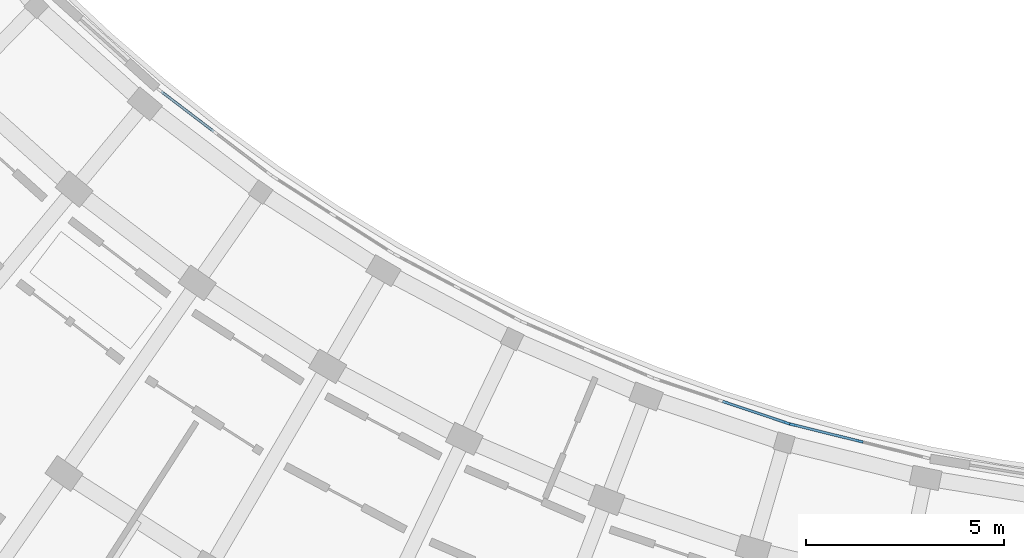
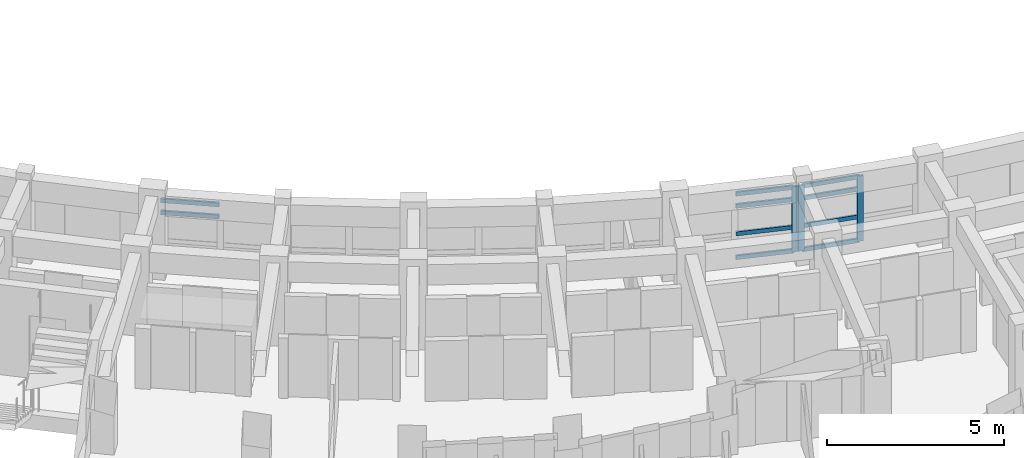
# One storey, part 14 of 54: 13 members, 3 elements without a shape of their own.
"""IFC4 building model written with IfcOpenShell, lengths in metres."""

from ifc_helpers import new_model, si_unit, direction, frame, origin, origin_2d, place, context, subcontext, project, spatial, rectangle, extrude, material, material_profile, profile_set, type_object, element, aggregate, save


model = new_model("IFC4")

# Units and contexts
model_context = context("Model", 3, precision=1e-05, world=origin(), true_north=direction((0.0, 1.0)))
body_context = subcontext(model_context, "Body", "Model", "MODEL_VIEW")
ifc_project = project(units=[si_unit("LENGTHUNIT", "METRE"), si_unit("AREAUNIT", "SQUARE_METRE"), si_unit("VOLUMEUNIT", "CUBIC_METRE"), si_unit("PLANEANGLEUNIT", "RADIAN"), si_unit("MASSUNIT", "GRAM", prefix="KILO")], contexts=[model_context])

# Site, building, storey
site_placement = place(None, origin())
site = spatial("IfcSite", under=ifc_project, at=site_placement, CompositionType="ELEMENT")
building_placement = place(site_placement, origin())
building = spatial("IfcBuilding", under=site, at=building_placement, Name="Zimvara Arc Housing Community", CompositionType="ELEMENT")
storey_placement = place(building_placement, frame((0.0, 0.0, 20.5)))
storey = spatial("IfcBuildingStorey", under=building, at=storey_placement, Name="L06", CompositionType="ELEMENT", Elevation=20.5)

# Curtain wall, member
ifc_material_1 = material(Name="Anodised Aluminium AW-6063", Category="aluminium")
curtain_wall_type_1 = type_object("IfcCurtainWallType", Name="CW-SYS-06", PredefinedType="USERDEFINED", material=ifc_material_1)
curtain_wall_1_placement = place(storey_placement, origin())
curtain_wall_1 = element("IfcCurtainWall", 1, at=curtain_wall_1_placement, inside=storey, type_object=curtain_wall_type_1, Name="cw:blkC:L06:in:b6", ObjectType="CURTAIN WALL", PredefinedType="USERDEFINED")
ifc_material_2 = material(Name="Anodised Aluminium AW-6063", Category="aluminium")
ifc_material_profile_1 = material_profile(ifc_material_2, rectangle(XDim=0.06494140625, YDim=0.179931640625, at=origin_2d()), Name="ALU 65x180")
ifc_profile_set_1 = profile_set([ifc_material_profile_1], Name="Anodised Aluminium AW-6063")
member_type_1 = type_object("IfcMemberType", Name="CWM-65x150", PredefinedType="MULLION", material=ifc_profile_set_1)
member_1_placement = place(storey_placement, frame((113.413818359375, 67.0498046875, 0.0), z_axis=(0.0, 0.0, 1.0), x_axis=(0.318630249383, 0.94787908732, 0.0)))
member_1 = element("IfcMember", 2, at=member_1_placement, type_object=member_type_1, Name="CW06 mullion 3", PredefinedType="MULLION", context=body_context, shape_type="SweptSolid", body=[
    extrude(rectangle(XDim=0.06494140625, YDim=0.179931640625, at=origin_2d()), origin(), (0.0, 0.0, 1.0), 2.25),
])

# Curtain wall, members
ifc_material_3 = material(Name="Anodised Aluminium AW-6063", Category="aluminium")
curtain_wall_type_2 = type_object("IfcCurtainWallType", Name="CW-SYS-08", PredefinedType="USERDEFINED", material=ifc_material_3)
curtain_wall_2_placement = place(storey_placement, origin())
curtain_wall_2 = element("IfcCurtainWall", 3, at=curtain_wall_2_placement, inside=storey, type_object=curtain_wall_type_2, Name="cw:blkC:L06:in:b7", ObjectType="CURTAIN WALL", PredefinedType="USERDEFINED")
member_2_placement = place(storey_placement, frame((113.59130859375, 66.998291015625, 0.0), z_axis=(0.0, 0.0, 1.0), x_axis=(0.240227815706, 0.970716537698, 0.0)))
member_2 = element("IfcMember", 4, at=member_2_placement, type_object=member_type_1, Name="CW08 mullion 1", PredefinedType="MULLION", context=body_context, shape_type="SweptSolid", body=[
    extrude(rectangle(XDim=0.06494140625, YDim=0.179931640625, at=origin_2d()), origin(), (0.0, 0.0, 1.0), 2.25),
])
member_3_placement = place(storey_placement, frame((115.27001953125, 66.582763671875, 0.0), z_axis=(0.0, 0.0, 1.0), x_axis=(0.240227815706, 0.970716537698, 0.0)))
member_3 = element("IfcMember", 5, at=member_3_placement, type_object=member_type_1, Name="CW08 mullion 2", PredefinedType="MULLION", context=body_context, shape_type="SweptSolid", body=[
    extrude(rectangle(XDim=0.06494140625, YDim=0.179931640625, at=origin_2d()), origin(), (0.0, 0.0, 1.0), 2.25),
])

curtain_wall_3_placement = place(storey_placement, origin())
curtain_wall_3 = element("IfcCurtainWall", 6, at=curtain_wall_3_placement, inside=storey, type_object=curtain_wall_type_2, Name="cw:blkC:L06:in:b2", ObjectType="CURTAIN WALL", PredefinedType="USERDEFINED")
ifc_material_4 = material(Name="Anodised Aluminium AW-6063", Category="aluminium")
ifc_material_profile_2 = material_profile(ifc_material_4, rectangle(XDim=0.06494140625, YDim=0.139892578125, at=origin_2d()), Name="ALU 65x140")
ifc_profile_set_2 = profile_set([ifc_material_profile_2], Name="Anodised Aluminium AW-6063")
member_type_2 = type_object("IfcMemberType", Name="CWT-65x120", PredefinedType="USERDEFINED", material=ifc_profile_set_2)
member_4_placement = place(storey_placement, frame((97.613525390625, 75.423828125, 1.800048828125), z_axis=(0.795488960577, -0.605968079687, 0.0), x_axis=(0.605968079687, 0.795488960577, 0.0)))
member_4 = element("IfcMember", 7, at=member_4_placement, type_object=member_type_2, Name="CW08 transom 1.3", ObjectType="TRANSOM", PredefinedType="USERDEFINED", context=body_context, shape_type="SweptSolid", body=[
    extrude(rectangle(XDim=0.06494140625, YDim=0.139892578125, at=origin_2d()), origin(), (0.0, 0.0, 1.0), 1.664306640625),
])
member_5_placement = place(storey_placement, frame((97.613525390625, 75.423828125, 2.217529296875), z_axis=(0.795488960577, -0.605968079687, 0.0), x_axis=(0.605968079687, 0.795488960577, 0.0)))
member_5 = element("IfcMember", 8, at=member_5_placement, type_object=member_type_2, Name="CW08 transom 1.4", ObjectType="TRANSOM", PredefinedType="USERDEFINED", context=body_context, shape_type="SweptSolid", body=[
    extrude(rectangle(XDim=0.06494140625, YDim=0.139892578125, at=origin_2d()), origin(), (0.0, 0.0, 1.0), 1.664306640625),
])
aggregate(curtain_wall_3, [member_4, member_5])

# Member
member_6_placement = place(storey_placement, frame((111.805419921875, 67.590576171875, 0.032470703125), z_axis=(0.947888214723, -0.318603095385, 0.0), x_axis=(0.318603095385, 0.947888214723, 0.0)))
member_6 = element("IfcMember", 9, at=member_6_placement, type_object=member_type_2, Name="CW06 transom 2.1", ObjectType="TRANSOM", PredefinedType="USERDEFINED", context=body_context, shape_type="SweptSolid", body=[
    extrude(rectangle(XDim=0.06494140625, YDim=0.139892578125, at=origin_2d()), origin(), (0.0, 0.0, 1.0), 1.664306640625),
])

member_7_placement = place(storey_placement, frame((111.805419921875, 67.590576171875, 0.85009765625), z_axis=(0.947888214723, -0.318603095385, 0.0), x_axis=(0.318603095385, 0.947888214723, 0.0)))
member_7 = element("IfcMember", 10, at=member_7_placement, type_object=member_type_2, Name="CW06 transom 2.2", ObjectType="TRANSOM", PredefinedType="USERDEFINED", context=body_context, shape_type="SweptSolid", body=[
    extrude(rectangle(XDim=0.06494140625, YDim=0.139892578125, at=origin_2d()), origin(), (0.0, 0.0, 1.0), 1.664306640625),
])

member_8_placement = place(storey_placement, frame((111.805419921875, 67.590576171875, 1.800048828125), z_axis=(0.947888214723, -0.318603095385, 0.0), x_axis=(0.318603095385, 0.947888214723, 0.0)))
member_8 = element("IfcMember", 11, at=member_8_placement, type_object=member_type_2, Name="CW06 transom 2.3", ObjectType="TRANSOM", PredefinedType="USERDEFINED", context=body_context, shape_type="SweptSolid", body=[
    extrude(rectangle(XDim=0.06494140625, YDim=0.139892578125, at=origin_2d()), origin(), (0.0, 0.0, 1.0), 1.664306640625),
])

member_9_placement = place(storey_placement, frame((111.805419921875, 67.590576171875, 2.217529296875), z_axis=(0.947888214723, -0.318603095385, 0.0), x_axis=(0.318603095385, 0.947888214723, 0.0)))
member_9 = element("IfcMember", 12, at=member_9_placement, type_object=member_type_2, Name="CW06 transom 2.4", ObjectType="TRANSOM", PredefinedType="USERDEFINED", context=body_context, shape_type="SweptSolid", body=[
    extrude(rectangle(XDim=0.06494140625, YDim=0.139892578125, at=origin_2d()), origin(), (0.0, 0.0, 1.0), 1.664306640625),
])

aggregate(curtain_wall_1, [member_1, member_6, member_7, member_8, member_9])

member_10_placement = place(storey_placement, frame((113.622802734375, 66.990478515625, 0.032470703125), z_axis=(0.970709278499, -0.2402571469, 0.0), x_axis=(0.2402571469, 0.970709278499, 0.0)))
member_10 = element("IfcMember", 13, at=member_10_placement, type_object=member_type_2, Name="CW08 transom 1.1", ObjectType="TRANSOM", PredefinedType="USERDEFINED", context=body_context, shape_type="SweptSolid", body=[
    extrude(rectangle(XDim=0.06494140625, YDim=0.139892578125, at=origin_2d()), origin(), (0.0, 0.0, 1.0), 1.66455078125),
])

member_11_placement = place(storey_placement, frame((113.622802734375, 66.990478515625, 0.85009765625), z_axis=(0.970709278499, -0.2402571469, 0.0), x_axis=(0.2402571469, 0.970709278499, 0.0)))
member_11 = element("IfcMember", 14, at=member_11_placement, type_object=member_type_2, Name="CW08 transom 1.2", ObjectType="TRANSOM", PredefinedType="USERDEFINED", context=body_context, shape_type="SweptSolid", body=[
    extrude(rectangle(XDim=0.06494140625, YDim=0.139892578125, at=origin_2d()), origin(), (0.0, 0.0, 1.0), 1.66455078125),
])

member_12_placement = place(storey_placement, frame((113.622802734375, 66.990478515625, 1.800048828125), z_axis=(0.970709278499, -0.2402571469, 0.0), x_axis=(0.2402571469, 0.970709278499, 0.0)))
member_12 = element("IfcMember", 15, at=member_12_placement, type_object=member_type_2, Name="CW08 transom 1.3", ObjectType="TRANSOM", PredefinedType="USERDEFINED", context=body_context, shape_type="SweptSolid", body=[
    extrude(rectangle(XDim=0.06494140625, YDim=0.139892578125, at=origin_2d()), origin(), (0.0, 0.0, 1.0), 1.66455078125),
])

member_13_placement = place(storey_placement, frame((113.622802734375, 66.990478515625, 2.217529296875), z_axis=(0.970709278499, -0.2402571469, 0.0), x_axis=(0.2402571469, 0.970709278499, 0.0)))
member_13 = element("IfcMember", 16, at=member_13_placement, type_object=member_type_2, Name="CW08 transom 1.4", ObjectType="TRANSOM", PredefinedType="USERDEFINED", context=body_context, shape_type="SweptSolid", body=[
    extrude(rectangle(XDim=0.06494140625, YDim=0.139892578125, at=origin_2d()), origin(), (0.0, 0.0, 1.0), 1.66455078125),
])

aggregate(curtain_wall_2, [member_2, member_3, member_10, member_11, member_12, member_13])

save(model, "model.ifc")
